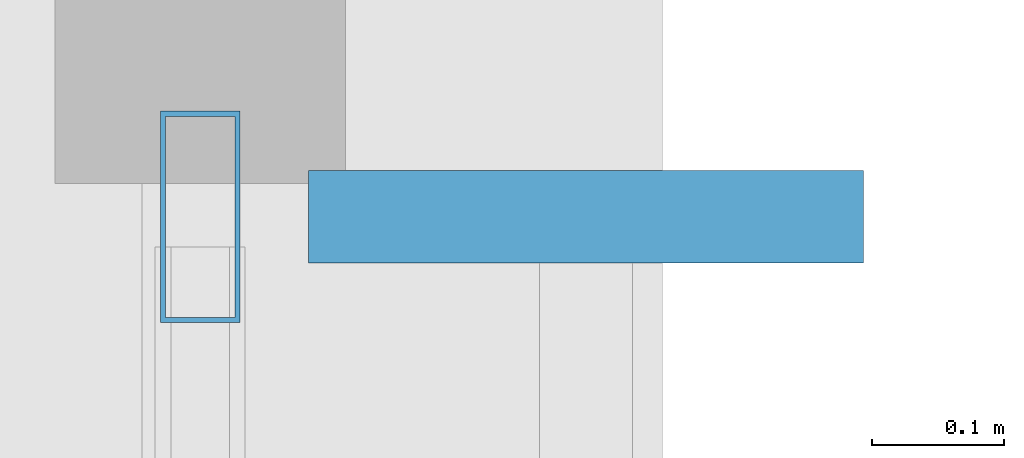
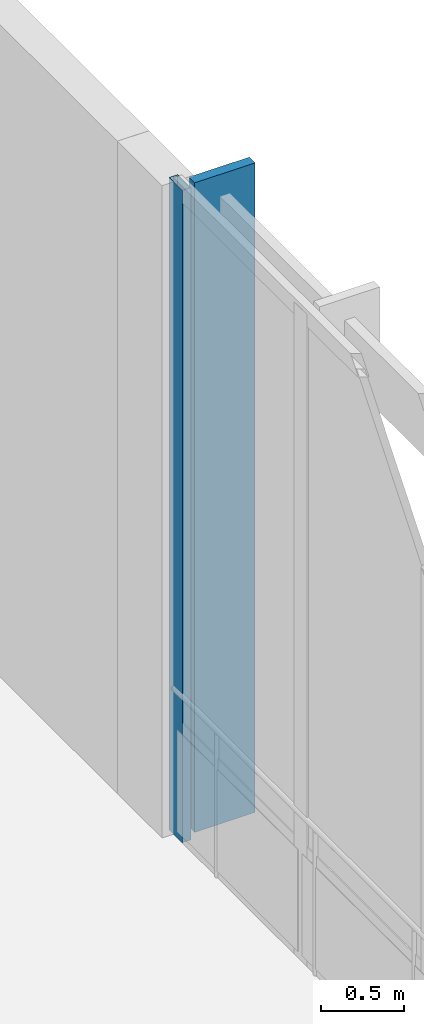
# One storey, part 103 of 177: 2 members, 1 element without a shape of its own.
"""IFC4 building model written with IfcOpenShell, lengths in metres."""

from ifc_helpers import new_model, si_unit, direction, frame, origin, origin_2d, place, context, subcontext, project, spatial, rectangle, hollow_rectangle, extrude, material, material_profile, profile_set, type_object, element, aggregate, save


model = new_model("IFC4")

# Units and contexts
model_context = context("Model", 3, precision=1e-05, world=origin(), true_north=direction((0.0, 1.0)))
body_context = subcontext(model_context, "Body", "Model", "MODEL_VIEW")
ifc_project = project(units=[si_unit("LENGTHUNIT", "METRE"), si_unit("AREAUNIT", "SQUARE_METRE"), si_unit("VOLUMEUNIT", "CUBIC_METRE"), si_unit("PLANEANGLEUNIT", "RADIAN"), si_unit("MASSUNIT", "GRAM", prefix="KILO")], contexts=[model_context])

# Site, building, storey
site_placement = place(None, origin())
site = spatial("IfcSite", under=ifc_project, at=site_placement, CompositionType="ELEMENT")
building_placement = place(site_placement, origin())
building = spatial("IfcBuilding", under=site, at=building_placement, Name="Chiffa Square Polytechnic", CompositionType="ELEMENT")
storey_placement = place(building_placement, frame((0.0, 0.0, 4.800048828125)))
storey = spatial("IfcBuildingStorey", under=building, at=storey_placement, Name="L01", CompositionType="ELEMENT", Elevation=4.800048828125)

# Curtain wall, members
ifc_material_1 = material(Name="Aluminium EN AW-6060 T66 and glulam shading", Category="wood")
curtain_wall_type = type_object("IfcCurtainWallType", Name="CW-VERT-300X380", PredefinedType="USERDEFINED", material=ifc_material_1)
curtain_wall_placement = place(storey_placement, origin())
curtain_wall = element("IfcCurtainWall", 1, at=curtain_wall_placement, inside=storey, type_object=curtain_wall_type, Name="Curtain wall CW-V2-L01-147", ObjectType="CURTAIN WALL", PredefinedType="USERDEFINED")
ifc_material_2 = material(Name="Aluminium EN AW-6060 T66", Category="aluminium")
ifc_material_profile_1 = material_profile(ifc_material_2, hollow_rectangle(XDim=0.06005859375, YDim=0.159912109375, WallThickness=0.00390625, at=origin_2d()), Name="ALU 60x160x4")
ifc_profile_set_1 = profile_set([ifc_material_profile_1], Name="Aluminium EN AW-6060 T66")
member_type_1 = type_object("IfcMemberType", Name="CWM-ALU-65X150", PredefinedType="MULLION", material=ifc_profile_set_1)
member_1_placement = place(storey_placement, frame((130.199951171875, 72.034912109375, 0.0), z_axis=(0.0, 0.0, 1.0), x_axis=(1.0, 0.0, 0.0)))
member_1 = element("IfcMember", 2, at=member_1_placement, type_object=member_type_1, Name="Curtain wall mullion CW-V2-L01-147-M04", PredefinedType="MULLION", context=body_context, shape_type="SweptSolid", body=[
    extrude(hollow_rectangle(XDim=0.06005859375, YDim=0.159912109375, WallThickness=0.00390625, at=origin_2d()), origin(), (0.0, 0.0, 1.0), 4.800048828125),
])
ifc_material_3 = material(Name="Glulam GL28h", Category="wood")
ifc_material_profile_2 = material_profile(ifc_material_3, rectangle(XDim=0.070068359375, YDim=0.419921875, at=origin_2d()), Name="GL28h 70x420")
ifc_profile_set_2 = profile_set([ifc_material_profile_2], Name="Glulam GL28h")
member_type_2 = type_object("IfcMemberType", Name="CWM-GL-70X420", PredefinedType="MULLION", material=ifc_profile_set_2)
member_2_placement = place(storey_placement, frame((130.491943359375, 72.034912109375, 0.010009765625), z_axis=(0.0, 0.0, 1.0), x_axis=(0.0, 1.0, 0.0)))
member_2 = element("IfcMember", 3, at=member_2_placement, type_object=member_type_2, Name="Exterior glulam solar fin CW-V2-L01-147-FN04", PredefinedType="MULLION", context=body_context, shape_type="SweptSolid", body=[
    extrude(rectangle(XDim=0.070068359375, YDim=0.419921875, at=origin_2d()), origin(), (0.0, 0.0, 1.0), 4.780029296875),
])
aggregate(curtain_wall, [member_1, member_2])

save(model, "model.ifc")
